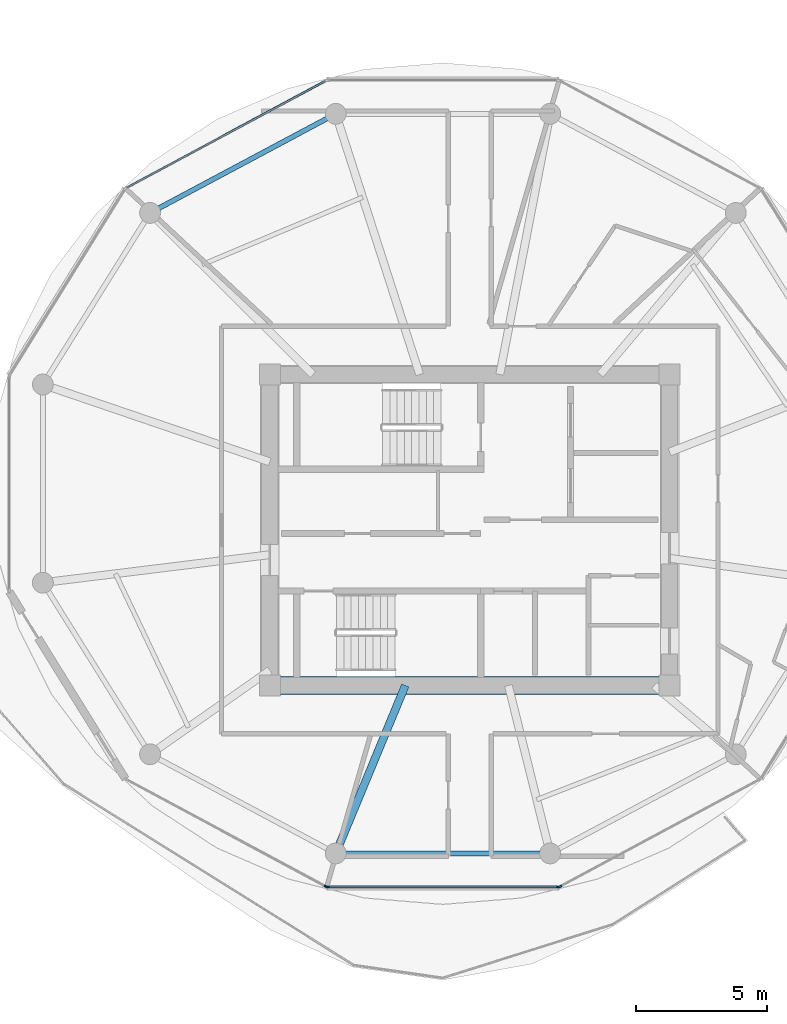
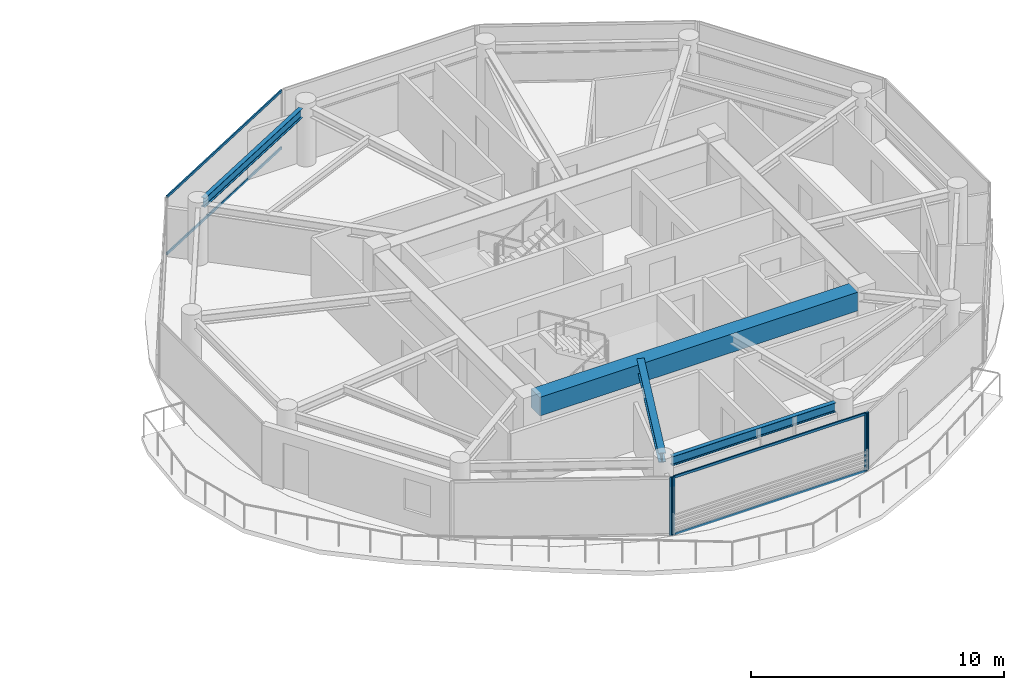
# One storey, part 8 of 21: 8 members, 4 beams, 4 elements without a shape of their own.
"""IFC4 building model written with IfcOpenShell, lengths in metres."""

import ifcopenshell
import ifcopenshell.guid

model = None  # the IFC model being written
_history = None  # IfcOwnerHistory: only IFC2X3 demands one
_inside = {}  # id of a spatial element -> (the spatial element, [elements in it])
_under = {}  # id of a project, library or spatial element -> (it, [spatial elements below it])
_declared = {}  # id of a project -> (the project, [libraries it declares])
_typed = {}  # id of a type object -> (the type object, [elements of that type])
_made_of = {}  # id of a material, layer set ... -> (it, [elements and type objects made of it])


def new_model(schema):
    """Start an empty IFC model of exactly this schema.

    Asked for "IFC4X3", IfcOpenShell would pick the latest addendum, in which some entities
    have other attributes; the version numbers below select the first issue.
    IFC2X3 requires an IfcOwnerHistory on every rooted entity: one is made here for all.
    """
    global model, _history
    if schema == "IFC4X3":
        model = ifcopenshell.file(schema_version=(4, 3, 0, 0))
    else:
        model = ifcopenshell.file(schema=schema)
    _inside.clear()
    _under.clear()
    _declared.clear()
    _typed.clear()
    _made_of.clear()
    _history = None
    if model.schema == "IFC2X3":
        org = make("IfcOrganization", Name="unknown")
        user = make(
            "IfcPersonAndOrganization",
            ThePerson=make("IfcPerson", FamilyName="unknown"),
            TheOrganization=org,
        )
        app = make(
            "IfcApplication",
            ApplicationDeveloper=org,
            Version="unknown",
            ApplicationFullName="unknown",
            ApplicationIdentifier="unknown",
        )
        _history = make(
            "IfcOwnerHistory",
            OwningUser=user,
            OwningApplication=app,
            ChangeAction="ADDED",
            CreationDate=0,
        )
    return model


def make(cls, **values):
    """One entity of the class cls with the attributes given. An attribute that is None is left unset."""
    return model.create_entity(
        cls, **{name: value for name, value in values.items() if value is not None}
    )


def rooted(cls, **values):
    """An entity with a GlobalId (a new one), such as an element, a storey or a relation."""
    return make(cls, GlobalId=ifcopenshell.guid.new(), OwnerHistory=_history, **values)


def si_unit(unit_type, name, prefix=None):
    """IfcSIUnit, for example si_unit("LENGTHUNIT", "METRE", prefix="MILLI")."""
    return make("IfcSIUnit", UnitType=unit_type, Prefix=prefix, Name=name)


def assignment(units):
    """IfcUnitAssignment: the units of a project."""
    return None if units is None else make("IfcUnitAssignment", Units=units)


def point(xyz):
    """IfcCartesianPoint."""
    return None if xyz is None else make("IfcCartesianPoint", Coordinates=xyz)


def direction(xyz):
    """IfcDirection."""
    return None if xyz is None else make("IfcDirection", DirectionRatios=xyz)


def frame(location, z_axis=None, x_axis=None):
    """IfcAxis2Placement3D, a coordinate frame: its origin and axes. An axis left out is left unset."""
    return make(
        "IfcAxis2Placement3D",
        Location=point(location),
        Axis=direction(z_axis),
        RefDirection=direction(x_axis),
    )


def frame_2d(location, x_axis=None):
    """IfcAxis2Placement2D, a coordinate frame in the plane: its origin and x axis."""
    return make(
        "IfcAxis2Placement2D", Location=point(location), RefDirection=direction(x_axis)
    )


def origin():
    """The frame at (0, 0, 0) with its axes left unset."""
    return frame((0.0, 0.0, 0.0))


def origin_2d():
    """The frame at (0, 0) in the plane with its x axis left unset."""
    return frame_2d((0.0, 0.0))


def place(relative_to, where):
    """IfcLocalPlacement: puts the frame where relative to a parent placement (None: the world)."""
    return make(
        "IfcLocalPlacement", PlacementRelTo=relative_to, RelativePlacement=where
    )


def context(
    kind, dimensions, precision=None, world=None, true_north=None, identifier=None
):
    """IfcGeometricRepresentationContext, for example the 3D "Model" context."""
    return make(
        "IfcGeometricRepresentationContext",
        ContextIdentifier=identifier,
        ContextType=kind,
        CoordinateSpaceDimension=dimensions,
        Precision=precision,
        WorldCoordinateSystem=world,
        TrueNorth=true_north,
    )


def subcontext(parent, identifier, kind, view, scale=None):
    """IfcGeometricRepresentationSubContext, for example "Body" below "Model"."""
    return make(
        "IfcGeometricRepresentationSubContext",
        ContextIdentifier=identifier,
        ContextType=kind,
        ParentContext=parent,
        TargetScale=scale,
        TargetView=view,
    )


def project(units=None, contexts=None):
    """IfcProject with its units and contexts."""
    return rooted(
        "IfcProject",
        Name="project",
        RepresentationContexts=contexts,
        UnitsInContext=assignment(units),
    )


def spatial(cls, under=None, at=None, **own):
    """A site, building, storey or space (cls), placed at a placement, below another one or the project."""
    s = rooted(cls, ObjectPlacement=at, **own)
    if under is not None:
        _under.setdefault(under.id(), (under, []))[1].append(s)
    return s


def profile(cls, at=None, kind="AREA", **sizes):
    """A parametric profile (cls). Its sizes go by their IFC names, for example OverallWidth=200.0."""
    return make(cls, ProfileType=kind, Position=at, **sizes)


def rectangle(**sizes):
    """IfcRectangleProfileDef."""
    return profile("IfcRectangleProfileDef", **sizes)


def i_section(**sizes):
    """IfcIShapeProfileDef."""
    return profile("IfcIShapeProfileDef", **sizes)


def extrude(swept, where, along, depth):
    """IfcExtrudedAreaSolid: the profile swept, set in the frame where, extruded along a direction by depth."""
    return make(
        "IfcExtrudedAreaSolid",
        SweptArea=swept,
        Position=where,
        ExtrudedDirection=direction(along),
        Depth=depth,
    )


def shape(context_of_items, identifier, shape_type, items):
    """IfcShapeRepresentation: the items that make up one representation, for example the "Body"."""
    return make(
        "IfcShapeRepresentation",
        ContextOfItems=context_of_items,
        RepresentationIdentifier=identifier,
        RepresentationType=shape_type,
        Items=items,
    )


def source(mapping_origin, context_of_items, identifier, shape_type, items):
    """IfcRepresentationMap: a shape defined once, which mapped items show again and again."""
    return make(
        "IfcRepresentationMap",
        MappingOrigin=mapping_origin,
        MappedRepresentation=shape(context_of_items, identifier, shape_type, items),
    )


def transform(
    local_origin,
    x_axis=None,
    y_axis=None,
    z_axis=None,
    scale=None,
    scale2=None,
    scale3=None,
    uniform=True,
):
    """IfcCartesianTransformationOperator3D, or its non-uniform kind. x_axis, y_axis, z_axis: its Axis1, 2, 3."""
    if uniform:
        return make(
            "IfcCartesianTransformationOperator3D",
            Axis1=direction(x_axis),
            Axis2=direction(y_axis),
            LocalOrigin=point(local_origin),
            Scale=scale,
            Axis3=direction(z_axis),
        )
    return make(
        "IfcCartesianTransformationOperator3DnonUniform",
        Axis1=direction(x_axis),
        Axis2=direction(y_axis),
        LocalOrigin=point(local_origin),
        Scale=scale,
        Axis3=direction(z_axis),
        Scale2=scale2,
        Scale3=scale3,
    )


def mapped(mapping_source, mapping_target):
    """IfcMappedItem: shows the shape of a source again, moved by a transform."""
    return make(
        "IfcMappedItem", MappingSource=mapping_source, MappingTarget=mapping_target
    )


def material(Name=None, Category=None):
    """IfcMaterial."""
    return make("IfcMaterial", Name=Name, Category=Category)


def layer(
    of_material, thickness, ventilated=None, Name=None, Category=None, Priority=None
):
    """IfcMaterialLayer: one layer of a wall or slab, of a material (None: an air gap)."""
    return make(
        "IfcMaterialLayer",
        Material=of_material,
        LayerThickness=thickness,
        IsVentilated=ventilated,
        Name=Name,
        Category=Category,
        Priority=Priority,
    )


def layer_set(layers, Name=None):
    """IfcMaterialLayerSet."""
    return make("IfcMaterialLayerSet", MaterialLayers=layers, LayerSetName=Name)


def material_profile(
    of_material, cross_section, Name=None, Category=None, Priority=None
):
    """IfcMaterialProfile: a cross section and its material."""
    return make(
        "IfcMaterialProfile",
        Name=Name,
        Material=of_material,
        Profile=cross_section,
        Priority=Priority,
        Category=Category,
    )


def profile_set(profiles, Name=None, composite=None):
    """IfcMaterialProfileSet."""
    return make(
        "IfcMaterialProfileSet",
        Name=Name,
        MaterialProfiles=profiles,
        CompositeProfile=composite,
    )


def made_of(thing, what):
    """Note that an element or type object is made of a material, layer set ...; save() writes the relation."""
    if what is not None:
        _made_of.setdefault(what.id(), (what, []))[1].append(thing)
    return thing


def type_object(cls, material=None, **own):
    """A type object (cls), such as IfcWallType, which elements share."""
    return made_of(rooted(cls, **own), material)


def type_shapes(of_type, sources):
    """Give a type object the sources (RepresentationMaps) that its elements show as mapped items."""
    of_type.RepresentationMaps = sources


def element(
    cls,
    number,
    at=None,
    inside=None,
    cuts=None,
    type_object=None,
    material=None,
    context=None,
    identifier="Body",
    shape_type=None,
    held_by="IfcProductDefinitionShape",
    body=None,
    shapes=None,
    **own,
):
    """One element of the class cls, such as IfcWall. Its Tag is "e" and its number.

    at: its placement. inside: the storey or other place that contains it. cuts: it is an
    opening in that element (IfcRelVoidsElement). A single representation is given by context,
    identifier, shape_type and body (its items); several are given by shapes. held_by: the class
    of the entity that holds the representations. save() writes the other relations.
    """
    e = rooted(cls, Tag="e%d" % number, ObjectPlacement=at, **own)
    if body is not None:
        shapes = [shape(context, identifier, shape_type, body)]
    if shapes is not None:
        e.Representation = make(held_by, Representations=shapes)
    if inside is not None:
        _inside.setdefault(inside.id(), (inside, []))[1].append(e)
    if cuts is not None:
        rooted(
            "IfcRelVoidsElement", RelatingBuildingElement=cuts, RelatedOpeningElement=e
        )
    if type_object is not None:
        _typed.setdefault(type_object.id(), (type_object, []))[1].append(e)
    return made_of(e, material)


def aggregate(whole, parts):
    """IfcRelAggregates: a whole, such as a stair, and the parts it consists of."""
    return rooted("IfcRelAggregates", RelatingObject=whole, RelatedObjects=parts)


def save(model, path):
    """Write the relations noted so far, then the file.

    IfcRelAggregates (storeys below a building ...), IfcRelContainedInSpatialStructure (elements
    in a storey), IfcRelDefinesByType, IfcRelAssociatesMaterial and IfcRelDeclares: one each for
    every whole, place, type object, material and project.
    """
    for whole, parts in _under.values():
        aggregate(whole, parts)
    for where, things in _inside.values():
        rooted(
            "IfcRelContainedInSpatialStructure",
            RelatedElements=things,
            RelatingStructure=where,
        )
    for kind, things in _typed.values():
        rooted("IfcRelDefinesByType", RelatedObjects=things, RelatingType=kind)
    for what, things in _made_of.values():
        rooted("IfcRelAssociatesMaterial", RelatedObjects=things, RelatingMaterial=what)
    for by, libraries in _declared.values():
        rooted("IfcRelDeclares", RelatingContext=by, RelatedDefinitions=libraries)
    model.write(path)


model = new_model("IFC4")

# Units and contexts
model_context = context("Model", 3, precision=1e-05, world=origin(), true_north=direction((0.0, 1.0)))
body_context = subcontext(model_context, "Body", "Model", "MODEL_VIEW")
ifc_project = project(units=[si_unit("LENGTHUNIT", "METRE"), si_unit("AREAUNIT", "SQUARE_METRE"), si_unit("VOLUMEUNIT", "CUBIC_METRE"), si_unit("PLANEANGLEUNIT", "RADIAN"), si_unit("MASSUNIT", "GRAM", prefix="KILO")], contexts=[model_context])

# Site, building, storey
site_placement = place(None, origin())
site = spatial("IfcSite", under=ifc_project, at=site_placement, CompositionType="ELEMENT")
building_placement = place(site_placement, origin())
building = spatial("IfcBuilding", under=site, at=building_placement, Name="Norrkilde Senior Care Towers", CompositionType="ELEMENT")
storey_placement = place(building_placement, frame((0.0, 0.0, 149.550048828125)))
storey = spatial("IfcBuildingStorey", under=building, at=storey_placement, Name="L46", CompositionType="ELEMENT", Elevation=149.550048828125)

# Beams
ifc_material_1 = material(Name="Concrete C60/75", Category="concrete")
ifc_material_profile_1 = material_profile(ifc_material_1, rectangle(XDim=0.699951171875, YDim=0.89990234375, at=origin_2d()), Name="RC BM 700x900")
ifc_profile_set_1 = profile_set([ifc_material_profile_1], Name="Concrete C60/75")
beam_type_1 = type_object("IfcBeamType", Name="Core Coupling Girder 700x900", PredefinedType="USERDEFINED", material=ifc_profile_set_1)
shared_shape_1 = source(origin(), body_context, "Body", "SweptSolid", [
    extrude(rectangle(XDim=0.699951171875, YDim=0.89990234375, at=origin_2d()), origin(), (0.0, 0.0, 1.0), 14.5400390625),
])
type_shapes(beam_type_1, [shared_shape_1])
beam_1_placement = place(storey_placement, frame((20.72998046875, -5.949951171875, 2.35986328125), z_axis=(1.0, 0.0, 0.0), x_axis=(0.0, 1.0, 0.0)))
element("IfcBeam", 1, at=beam_1_placement, inside=storey, type_object=beam_type_1, Name="L46 Core E S Coupling Girder", ObjectType="GIRDER", PredefinedType="USERDEFINED", context=body_context, shape_type="MappedRepresentation", body=[
    mapped(shared_shape_1, transform((0.0, 0.0, 0.0), x_axis=(1.0, 0.0, 0.0), y_axis=(0.0, 1.0, 0.0), z_axis=(0.0, 0.0, 1.0), scale=1.0)),
])
ifc_material_2 = material(Name="Steel S355", Category="steel")
ifc_material_profile_2 = material_profile(ifc_material_2, i_section(OverallWidth=0.18994140625, OverallDepth=0.449951171875, WebThickness=0.009521484375, FlangeThickness=0.0146484375, FilletRadius=0.02099609375, at=origin_2d()), Name="IPE 450")
ifc_profile_set_2 = profile_set([ifc_material_profile_2], Name="Steel S355")
beam_type_2 = type_object("IfcBeamType", Name="Perimeter Ring Spandrel Z3 IPE450", PredefinedType="SPANDREL", material=ifc_profile_set_2)
shared_shape_2 = source(origin(), body_context, "Body", "SweptSolid", [
    extrude(i_section(OverallWidth=0.18994140625, OverallDepth=0.449951171875, WebThickness=0.009521484375, FlangeThickness=0.0146484375, FilletRadius=0.02099609375, at=origin_2d()), origin(), (0.0, 0.0, 1.0), 7.333740234375),
])
beam_2_placement = place(storey_placement, frame((22.55517578125, 15.756591796875, 2.5849609375), z_axis=(-0.882247866069, -0.470785198172, 0.0), x_axis=(0.470785198172, -0.882247866069, 0.0)))
element("IfcBeam", 2, at=beam_2_placement, inside=storey, type_object=beam_type_2, Name="L46 Drum E Perimeter Spandrel 04", PredefinedType="SPANDREL", context=body_context, shape_type="MappedRepresentation", body=[
    mapped(shared_shape_2, transform((0.0, 0.0, 0.0), x_axis=(1.0, 0.0, 0.0), y_axis=(0.0, 1.0, 0.0), z_axis=(0.0, 0.0, 1.0), scale=1.0)),
])
shared_shape_3 = source(origin(), body_context, "Body", "SweptSolid", [
    extrude(i_section(OverallWidth=0.18994140625, OverallDepth=0.449951171875, WebThickness=0.009521484375, FlangeThickness=0.0146484375, FilletRadius=0.02099609375, at=origin_2d()), origin(), (0.0, 0.0, 1.0), 7.484619140625),
])
type_shapes(beam_type_2, [shared_shape_2, shared_shape_3])
beam_3_placement = place(storey_placement, frame((23.232666015625, -12.37548828125, 2.5849609375), z_axis=(1.0, 0.0, 0.0), x_axis=(0.0, 1.0, 0.0)))
element("IfcBeam", 3, at=beam_3_placement, inside=storey, type_object=beam_type_2, Name="L46 Drum E Perimeter Spandrel 09", PredefinedType="SPANDREL", context=body_context, shape_type="MappedRepresentation", body=[
    mapped(shared_shape_3, transform((0.0, 0.0, 0.0), x_axis=(1.0, 0.0, 0.0), y_axis=(0.0, 1.0, 0.0), z_axis=(0.0, 0.0, 1.0), scale=1.0)),
])
ifc_material_profile_3 = material_profile(ifc_material_2, i_section(OverallWidth=0.300048828125, OverallDepth=0.449951171875, WebThickness=0.013916015625, FlangeThickness=0.02587890625, FilletRadius=0.027099609375, at=origin_2d()), Name="HEB 450")
ifc_profile_set_3 = profile_set([ifc_material_profile_3], Name="Steel S355")
beam_type_3 = type_object("IfcBeamType", Name="Radial Floor Beam Z3 HEB450", PredefinedType="BEAM", material=ifc_profile_set_3)
shared_shape_4 = source(origin(), body_context, "Body", "SweptSolid", [
    extrude(i_section(OverallWidth=0.300048828125, OverallDepth=0.449951171875, WebThickness=0.013916015625, FlangeThickness=0.02587890625, FilletRadius=0.027099609375, at=origin_2d()), origin(), (0.0, 0.0, 1.0), 6.59521484375),
])
type_shapes(beam_type_3, [shared_shape_4])
beam_4_placement = place(storey_placement, frame((25.534912109375, -5.949951171875, 2.5849609375), z_axis=(-0.382761541363, -0.923847174836, 0.0), x_axis=(0.923847174836, -0.382761541363, 0.0)))
element("IfcBeam", 4, at=beam_4_placement, inside=storey, type_object=beam_type_3, Name="L46 Drum E Radial Floor Beam 09", PredefinedType="BEAM", context=body_context, shape_type="MappedRepresentation", body=[
    mapped(shared_shape_4, transform((0.0, 0.0, 0.0), x_axis=(1.0, 0.0, 0.0), y_axis=(0.0, 1.0, 0.0), z_axis=(0.0, 0.0, 1.0), scale=1.0)),
])

# Curtain wall, member
ifc_material_3 = material(Name="Triple Low-E Insulated Glazing", Category="glass")
ifc_layer = layer(ifc_material_3, 0.18994140625)
ifc_layer_set = layer_set([ifc_layer], Name="Triple Low-E Insulated Glazing")
curtain_wall_type = type_object("IfcCurtainWallType", Name="CW4 Zone 3 Senior Residence Curtain Wall", PredefinedType="NOTDEFINED", material=ifc_layer_set)
curtain_wall_1_placement = place(storey_placement, origin())
curtain_wall_1 = element("IfcCurtainWall", 5, at=curtain_wall_1_placement, inside=storey, type_object=curtain_wall_type, Name="L46 Drum E Curtain Wall 07", PredefinedType="NOTDEFINED")
ifc_material_4 = material(Name="Anodised Aluminium", Category="aluminium")
ifc_material_profile_4 = material_profile(ifc_material_4, rectangle(XDim=0.06494140625, YDim=0.14990234375, at=origin_2d()), Name="ALU MULL 65x150")
ifc_profile_set_4 = profile_set([ifc_material_profile_4], Name="Anodised Aluminium")
member_type_1 = type_object("IfcMemberType", Name="Curtain Wall Mullion Z3-Z4 65x150", PredefinedType="MULLION", material=ifc_profile_set_4)
shared_shape_5 = source(origin(), body_context, "Body", "SweptSolid", [
    extrude(rectangle(XDim=0.06494140625, YDim=0.14990234375, at=origin_2d()), origin(), (0.0, 0.0, 1.0), 2.81005859375),
])
type_shapes(member_type_1, [shared_shape_5])
member_1_placement = place(storey_placement, frame((22.499755859375, -13.644775390625, 0.0), z_axis=(0.0, 0.0, 1.0), x_axis=(-0.47311715104, -0.880999524059, 0.0)))
member_1 = element("IfcMember", 6, at=member_1_placement, type_object=member_type_1, Name="CW-4 mullion 1", PredefinedType="MULLION", context=body_context, shape_type="MappedRepresentation", body=[
    mapped(shared_shape_5, transform((0.0, 0.0, 0.0), x_axis=(1.0, 0.0, 0.0), y_axis=(0.0, 1.0, 0.0), z_axis=(0.0, 0.0, 1.0), scale=1.0)),
])
aggregate(curtain_wall_1, [member_1])

# Curtain wall, members
curtain_wall_2_placement = place(storey_placement, origin())
curtain_wall_2 = element("IfcCurtainWall", 7, at=curtain_wall_2_placement, inside=storey, type_object=curtain_wall_type, Name="L46 Drum E Curtain Wall 08", PredefinedType="NOTDEFINED")
member_2_placement = place(storey_placement, frame((31.388916015625, -13.66015625, 0.0), z_axis=(0.0, 0.0, 1.0), x_axis=(0.0, -1.0, 0.0)))
member_2 = element("IfcMember", 8, at=member_2_placement, type_object=member_type_1, Name="CW-4 mullion 1", PredefinedType="MULLION", context=body_context, shape_type="MappedRepresentation", body=[
    mapped(shared_shape_5, transform((0.0, 0.0, 0.0), x_axis=(1.0, 0.0, 0.0), y_axis=(0.0, 1.0, 0.0), z_axis=(0.0, 0.0, 1.0), scale=1.0)),
])
member_3_placement = place(storey_placement, frame((22.56103515625, -13.66015625, 0.0), z_axis=(0.0, 0.0, 1.0), x_axis=(0.0, -1.0, 0.0)))
member_3 = element("IfcMember", 9, at=member_3_placement, type_object=member_type_1, Name="CW-4 mullion 2", PredefinedType="MULLION", context=body_context, shape_type="MappedRepresentation", body=[
    mapped(shared_shape_5, transform((0.0, 0.0, 0.0), x_axis=(1.0, 0.0, 0.0), y_axis=(0.0, 1.0, 0.0), z_axis=(0.0, 0.0, 1.0), scale=1.0)),
])

# Curtain wall, member
curtain_wall_3_placement = place(storey_placement, origin())
curtain_wall_3 = element("IfcCurtainWall", 10, at=curtain_wall_3_placement, inside=storey, type_object=curtain_wall_type, Name="L46 Drum E Curtain Wall 09", PredefinedType="NOTDEFINED")
member_4_placement = place(storey_placement, frame((31.4501953125, -13.644775390625, 0.0), z_axis=(0.0, 0.0, 1.0), x_axis=(0.47311715104, -0.880999524059, 0.0)))
member_4 = element("IfcMember", 11, at=member_4_placement, type_object=member_type_1, Name="CW-4 mullion 2", PredefinedType="MULLION", context=body_context, shape_type="MappedRepresentation", body=[
    mapped(shared_shape_5, transform((0.0, 0.0, 0.0), x_axis=(1.0, 0.0, 0.0), y_axis=(0.0, 1.0, 0.0), z_axis=(0.0, 0.0, 1.0), scale=1.0)),
])
aggregate(curtain_wall_3, [member_4])

# Curtain wall, members
curtain_wall_4_placement = place(storey_placement, origin())
curtain_wall_4 = element("IfcCurtainWall", 12, at=curtain_wall_4_placement, inside=storey, type_object=curtain_wall_type, Name="L46 Drum E Curtain Wall 03", PredefinedType="NOTDEFINED")
ifc_material_profile_5 = material_profile(ifc_material_4, rectangle(XDim=0.06005859375, YDim=0.1201171875, at=origin_2d()), Name="ALU TRAN 60x120")
ifc_profile_set_5 = profile_set([ifc_material_profile_5], Name="Anodised Aluminium")
member_type_2 = type_object("IfcMemberType", Name="Curtain Wall Transom Typical 60x120", PredefinedType="USERDEFINED", material=ifc_profile_set_5)
shared_shape_6 = source(origin(), body_context, "Body", "SweptSolid", [
    extrude(rectangle(XDim=0.06005859375, YDim=0.1201171875, at=origin_2d()), origin(), (0.0, 0.0, 1.0), 8.61181640625),
])
member_5_placement = place(storey_placement, frame((14.88427734375, 13.105712890625, 0.030029296875), z_axis=(0.880993991641, 0.473127452906, 0.0), x_axis=(-0.473127452906, 0.880993991641, 0.0)))
member_5 = element("IfcMember", 13, at=member_5_placement, type_object=member_type_2, Name="CW-4 transom 1.1", ObjectType="TRANSOM", PredefinedType="USERDEFINED", context=body_context, shape_type="MappedRepresentation", body=[
    mapped(shared_shape_6, transform((0.0, 0.0, 0.0), x_axis=(1.0, 0.0, 0.0), y_axis=(0.0, 1.0, 0.0), z_axis=(0.0, 0.0, 1.0), scale=1.0)),
])
member_6_placement = place(storey_placement, frame((14.88427734375, 13.105712890625, 2.780029296875), z_axis=(0.880993991641, 0.473127452906, 0.0), x_axis=(-0.473127452906, 0.880993991641, 0.0)))
member_6 = element("IfcMember", 14, at=member_6_placement, type_object=member_type_2, Name="CW-4 transom 1.2", ObjectType="TRANSOM", PredefinedType="USERDEFINED", context=body_context, shape_type="MappedRepresentation", body=[
    mapped(shared_shape_6, transform((0.0, 0.0, 0.0), x_axis=(1.0, 0.0, 0.0), y_axis=(0.0, 1.0, 0.0), z_axis=(0.0, 0.0, 1.0), scale=1.0)),
])
aggregate(curtain_wall_4, [member_5, member_6])

# Member
shared_shape_7 = source(origin(), body_context, "Body", "SweptSolid", [
    extrude(rectangle(XDim=0.06005859375, YDim=0.1201171875, at=origin_2d()), origin(), (0.0, 0.0, 1.0), 8.762939453125),
])
type_shapes(member_type_2, [shared_shape_6, shared_shape_7])
member_7_placement = place(storey_placement, frame((31.3564453125, -13.66015625, 0.030029296875), z_axis=(-1.0, 0.0, 0.0), x_axis=(0.0, -1.0, 0.0)))
member_7 = element("IfcMember", 15, at=member_7_placement, type_object=member_type_2, Name="CW-4 transom 1.1", ObjectType="TRANSOM", PredefinedType="USERDEFINED", context=body_context, shape_type="MappedRepresentation", body=[
    mapped(shared_shape_7, transform((0.0, 0.0, 0.0), x_axis=(1.0, 0.0, 0.0), y_axis=(0.0, 1.0, 0.0), z_axis=(0.0, 0.0, 1.0), scale=1.0)),
])

member_8_placement = place(storey_placement, frame((31.3564453125, -13.66015625, 2.780029296875), z_axis=(-1.0, 0.0, 0.0), x_axis=(0.0, -1.0, 0.0)))
member_8 = element("IfcMember", 16, at=member_8_placement, type_object=member_type_2, Name="CW-4 transom 1.2", ObjectType="TRANSOM", PredefinedType="USERDEFINED", context=body_context, shape_type="MappedRepresentation", body=[
    mapped(shared_shape_7, transform((0.0, 0.0, 0.0), x_axis=(1.0, 0.0, 0.0), y_axis=(0.0, 1.0, 0.0), z_axis=(0.0, 0.0, 1.0), scale=1.0)),
])

aggregate(curtain_wall_2, [member_2, member_3, member_7, member_8])

save(model, "model.ifc")
